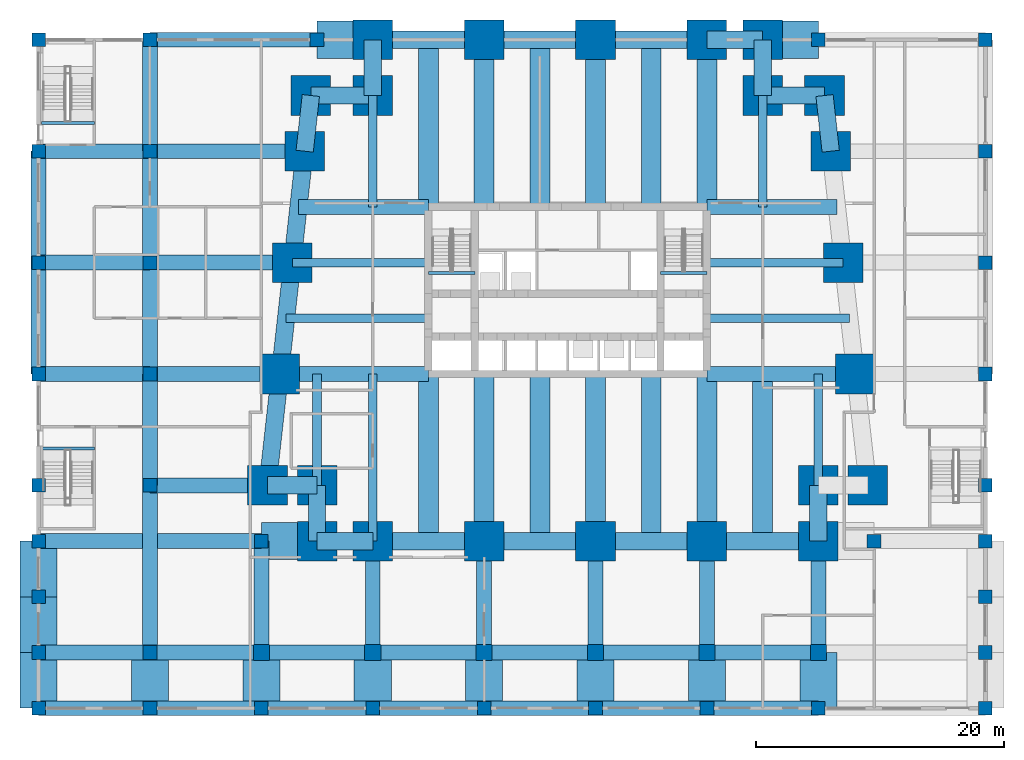
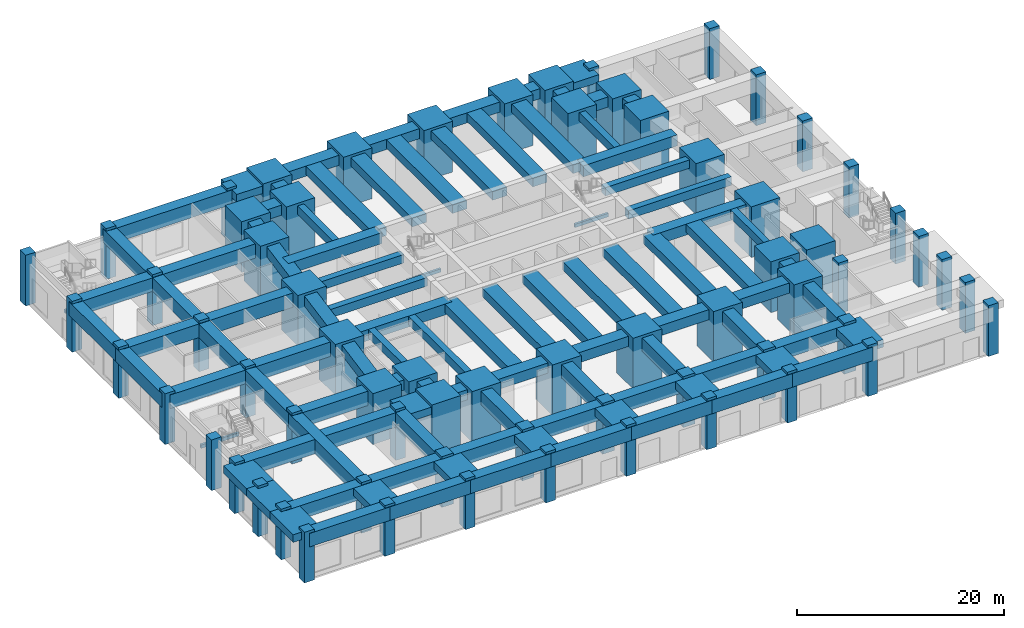
# One storey, part 1 of 13: 101 beams, 66 columns.
"""IFC4 building model written with IfcOpenShell, lengths in metres."""

from ifc_helpers import new_model, si_unit, direction, frame, origin, origin_2d, place, context, subcontext, project, spatial, rectangle, extrude, material, material_profile, profile_set, type_object, element, save


model = new_model("IFC4")

# Units and contexts
model_context = context("Model", 3, precision=1e-05, world=origin(), true_north=direction((0.0, 1.0)))
body_context = subcontext(model_context, "Body", "Model", "MODEL_VIEW")
ifc_project = project(units=[si_unit("LENGTHUNIT", "METRE"), si_unit("AREAUNIT", "SQUARE_METRE"), si_unit("VOLUMEUNIT", "CUBIC_METRE"), si_unit("PLANEANGLEUNIT", "RADIAN"), si_unit("MASSUNIT", "GRAM", prefix="KILO")], contexts=[model_context])

# Site, building, storey
site_placement = place(None, origin())
site = spatial("IfcSite", under=ifc_project, at=site_placement, CompositionType="ELEMENT")
building_placement = place(site_placement, origin())
building = spatial("IfcBuilding", under=site, at=building_placement, Name="Kilele Tower Hotel", CompositionType="ELEMENT")
storey_placement = place(building_placement, origin())
storey = spatial("IfcBuildingStorey", under=building, at=storey_placement, Name="L00", CompositionType="ELEMENT", Elevation=0.0)

# Columns
ifc_material_1 = material(Name="Concrete C60/75", Category="concrete")
ifc_material_profile_1 = material_profile(ifc_material_1, rectangle(XDim=1.10009765625, YDim=1.10009765625, at=origin_2d()))
ifc_profile_set_1 = profile_set([ifc_material_profile_1], Name="Concrete C60/75")
column_type_1 = type_object("IfcColumnType", Name="Column RC 1100x1100 C60/75", PredefinedType="COLUMN", material=ifc_profile_set_1)
for number, where, z_axis, x_axis, name in (
    (1, (-18.0, -13.5, 0.0), (0.0, 0.0, 1.0), (1.0, 0.0, 0.0), "Column PC1 L00"),
    (2, (-9.0, -13.5, 0.0), (0.0, 0.0, 1.0), (1.0, 0.0, 0.0), "Column PC1 L00"),
    (3, (58.5, -13.5, 0.0), (0.0, 0.0, 1.0), (1.0, 0.0, 0.0), "Column PC1 L00"),
    (4, (-18.0, -4.5, 0.0), (0.0, 0.0, 1.0), (1.0, 0.0, 0.0), "Column PC1 L00"),
    (5, (58.5, -4.5, 0.0), (0.0, 0.0, 1.0), (1.0, 0.0, 0.0), "Column PC1 L00"),
    (6, (-18.0, 4.5, 0.0), (0.0, 0.0, 1.0), (1.0, 0.0, 0.0), "Column PC1 L00"),
    (7, (-9.0, 4.5, 0.0), (0.0, 0.0, 1.0), (1.0, 0.0, 0.0), "Column PC1 L00"),
    (8, (58.5, 4.5, 0.0), (0.0, 0.0, 1.0), (1.0, 0.0, 0.0), "Column PC1 L00"),
    (9, (-18.0, 13.5, 0.0), (0.0, 0.0, 1.0), (1.0, 0.0, 0.0), "Column PC1 L00"),
    (10, (-9.0, 13.5, 0.0), (0.0, 0.0, 1.0), (1.0, 0.0, 0.0), "Column PC1 L00"),
    (11, (58.5, 13.5, 0.0), (0.0, 0.0, 1.0), (1.0, 0.0, 0.0), "Column PC1 L00"),
    (12, (-18.0, 22.5, 0.0), (0.0, 0.0, 1.0), (1.0, 0.0, 0.0), "Column PC1 L00"),
    (13, (-9.0, 22.5, 0.0), (0.0, 0.0, 1.0), (1.0, 0.0, 0.0), "Column PC1 L00"),
    (14, (58.5, 22.5, 0.0), (0.0, 0.0, 1.0), (1.0, 0.0, 0.0), "Column PC1 L00"),
    (15, (-18.0, 31.5, 0.0), (0.0, 0.0, 1.0), (1.0, 0.0, 0.0), "Column PC1 L00"),
    (16, (-9.0, 31.5, 0.0), (0.0, 0.0, 1.0), (1.0, 0.0, 0.0), "Column PC1 L00"),
    (17, (58.5, 31.5, 0.0), (0.0, 0.0, 1.0), (1.0, 0.0, 0.0), "Column PC1 L00"),
    (18, (-18.0, 40.5, 0.0), (0.0, 0.0, 1.0), (1.0, 0.0, 0.0), "Column PC1 L00"),
    (19, (-9.0, 40.5, 0.0), (0.0, 0.0, 1.0), (1.0, 0.0, 0.0), "Column PC1 L00"),
    (20, (58.5, 40.5, 0.0), (0.0, 0.0, 1.0), (1.0, 0.0, 0.0), "Column PC1 L00"),
    (21, (-18.0, 0.0, 0.0), (0.0, 0.0, 1.0), (1.0, 0.0, 0.0), "Column PC1 L00"),
    (22, (58.5, 0.0, 0.0), (0.0, 0.0, 1.0), (1.0, 0.0, 0.0), "Column PC1 L00"),
    (23, (0.0, -13.5, 0.0), (0.0, 0.0, 1.0), (1.0, 0.0, 0.0), "Column PC1 L00"),
    (24, (9.0, -13.5, 0.0), (0.0, 0.0, 1.0), (1.0, 0.0, 0.0), "Column PC1 L00"),
    (25, (18.0, -13.5, 0.0), (0.0, 0.0, 1.0), (1.0, 0.0, 0.0), "Column PC1 L00"),
    (26, (27.0, -13.5, 0.0), (0.0, 0.0, 1.0), (1.0, 0.0, 0.0), "Column PC1 L00"),
    (27, (36.0, -13.5, 0.0), (0.0, 0.0, 1.0), (1.0, 0.0, 0.0), "Column PC1 L00"),
    (28, (45.0, -13.5, 0.0), (0.0, 0.0, 1.0), (1.0, 0.0, 0.0), "Column PC1 L00"),
    (29, (-18.0, -9.0, 0.0), (0.0, 0.0, 1.0), (1.0, 0.0, 0.0), "Column PC1 L00"),
    (30, (58.5, -9.0, 0.0), (0.0, 0.0, 1.0), (1.0, 0.0, 0.0), "Column PC1 L00"),
    (31, (-9.0, -9.0, 0.0), (0.0, 0.0, 1.0), (1.0, 0.0, 0.0), "Column PC1 L00"),
    (32, (0.0, 0.0, 0.0), (0.0, 0.0, 1.0), (1.0, 0.0, 0.0), "Column PC1 L00"),
    (33, (49.5, 0.0, 0.0), (0.0, 0.0, 1.0), (1.0, 0.0, 0.0), "Column PC1 L00"),
    (34, (4.5, 40.5, 0.0), (0.0, 0.0, 1.0), (1.0, 0.0, 0.0), "Column PC1 L00"),
    (35, (45.0, 40.5, 0.0), (0.0, 0.0, 1.0), (1.0, 0.0, 0.0), "Column PC1 L00"),
):
    element("IfcColumn", number, at=place(storey_placement, frame(where, z_axis=z_axis, x_axis=x_axis)), inside=storey, type_object=column_type_1, Name=name, PredefinedType="COLUMN", context=body_context, shape_type="SweptSolid", body=[
        extrude(rectangle(XDim=1.10009765625, YDim=1.10009765625, at=origin_2d()), origin(), (0.0, 0.0, 1.0), 6.0),
    ])
ifc_material_2 = material(Name="Concrete C60/75", Category="concrete")
ifc_material_profile_2 = material_profile(ifc_material_2, rectangle(XDim=1.300048828125, YDim=1.300048828125, at=origin_2d()))
ifc_profile_set_2 = profile_set([ifc_material_profile_2], Name="Concrete C60/75")
column_type_2 = type_object("IfcColumnType", Name="Column RC 1300x1300 C60/75", PredefinedType="COLUMN", material=ifc_profile_set_2)
for number, where, z_axis, x_axis, name in (
    (36, (0.0, -9.0, 0.0), (0.0, 0.0, 1.0), (1.0, 0.0, 0.0), "Column PC2 L00"),
    (37, (9.0, -9.0, 0.0), (0.0, 0.0, 1.0), (1.0, 0.0, 0.0), "Column PC2 L00"),
    (38, (18.0, -9.0, 0.0), (0.0, 0.0, 1.0), (1.0, 0.0, 0.0), "Column PC2 L00"),
    (39, (27.0, -9.0, 0.0), (0.0, 0.0, 1.0), (1.0, 0.0, 0.0), "Column PC2 L00"),
    (40, (36.0, -9.0, 0.0), (0.0, 0.0, 1.0), (1.0, 0.0, 0.0), "Column PC2 L00"),
    (41, (45.0, -9.0, 0.0), (0.0, 0.0, 1.0), (1.0, 0.0, 0.0), "Column PC2 L00"),
):
    element("IfcColumn", number, at=place(storey_placement, frame(where, z_axis=z_axis, x_axis=x_axis)), inside=storey, type_object=column_type_2, Name=name, PredefinedType="COLUMN", context=body_context, shape_type="SweptSolid", body=[
        extrude(rectangle(XDim=1.300048828125, YDim=1.300048828125, at=origin_2d()), origin(), (0.0, 0.0, 1.0), 6.0),
    ])
ifc_material_3 = material(Name="Concrete C80/95", Category="concrete")
ifc_material_profile_3 = material_profile(ifc_material_3, rectangle(XDim=3.199951171875, YDim=3.199951171875, at=origin_2d()))
ifc_profile_set_3 = profile_set([ifc_material_profile_3], Name="Concrete C80/95")
column_type_3 = type_object("IfcColumnType", Name="Mega column RC 3200x3200 C80/95", PredefinedType="COLUMN", material=ifc_profile_set_3)
for number, where, z_axis, x_axis, name in (
    (42, (0.5, 4.5, 0.0), (0.0, 0.0, 1.0), (1.0, 0.0, 0.0), "Column MC1 L00"),
    (43, (4.5, 4.5, 0.0), (0.0, 0.0, 1.0), (1.0, 0.0, 0.0), "Column MC1 L00"),
    (44, (4.5, 0.0, 0.0), (0.0, 0.0, 1.0), (1.0, 0.0, 0.0), "Column MC1 L00"),
    (45, (9.0, 0.0, 0.0), (0.0, 0.0, 1.0), (1.0, 0.0, 0.0), "Column MC1 L00"),
    (46, (18.0, 0.0, 0.0), (0.0, 0.0, 1.0), (1.0, 0.0, 0.0), "Column MC1 L00"),
    (47, (27.0, 0.0, 0.0), (0.0, 0.0, 1.0), (1.0, 0.0, 0.0), "Column MC1 L00"),
    (48, (36.0, 0.0, 0.0), (0.0, 0.0, 1.0), (1.0, 0.0, 0.0), "Column MC1 L00"),
    (49, (45.0, 0.0, 0.0), (0.0, 0.0, 1.0), (1.0, 0.0, 0.0), "Column MC1 L00"),
    (50, (45.0, 4.5, 0.0), (0.0, 0.0, 1.0), (1.0, 0.0, 0.0), "Column MC1 L00"),
    (51, (49.0, 4.5, 0.0), (0.0, 0.0, 1.0), (1.0, 0.0, 0.0), "Column MC1 L00"),
    (52, (48.0, 13.5, 0.0), (0.0, 0.0, 1.0), (1.0, 0.0, 0.0), "Column MC1 L00"),
    (53, (47.0, 22.5, 0.0), (0.0, 0.0, 1.0), (1.0, 0.0, 0.0), "Column MC1 L00"),
    (54, (46.0, 31.5, 0.0), (0.0, 0.0, 1.0), (1.0, 0.0, 0.0), "Column MC1 L00"),
    (55, (45.5, 36.0, 0.0), (0.0, 0.0, 1.0), (1.0, 0.0, 0.0), "Column MC1 L00"),
    (56, (40.5, 36.0, 0.0), (0.0, 0.0, 1.0), (1.0, 0.0, 0.0), "Column MC1 L00"),
    (57, (40.5, 40.5, 0.0), (0.0, 0.0, 1.0), (1.0, 0.0, 0.0), "Column MC1 L00"),
    (58, (36.0, 40.5, 0.0), (0.0, 0.0, 1.0), (1.0, 0.0, 0.0), "Column MC1 L00"),
    (59, (27.0, 40.5, 0.0), (0.0, 0.0, 1.0), (1.0, 0.0, 0.0), "Column MC1 L00"),
    (60, (18.0, 40.5, 0.0), (0.0, 0.0, 1.0), (1.0, 0.0, 0.0), "Column MC1 L00"),
    (61, (9.0, 40.5, 0.0), (0.0, 0.0, 1.0), (1.0, 0.0, 0.0), "Column MC1 L00"),
    (62, (9.0, 36.0, 0.0), (0.0, 0.0, 1.0), (1.0, 0.0, 0.0), "Column MC1 L00"),
    (63, (4.0, 36.0, 0.0), (0.0, 0.0, 1.0), (1.0, 0.0, 0.0), "Column MC1 L00"),
    (64, (3.5, 31.5, 0.0), (0.0, 0.0, 1.0), (1.0, 0.0, 0.0), "Column MC1 L00"),
    (65, (2.5, 22.5, 0.0), (0.0, 0.0, 1.0), (1.0, 0.0, 0.0), "Column MC1 L00"),
    (66, (1.5, 13.5, 0.0), (0.0, 0.0, 1.0), (1.0, 0.0, 0.0), "Column MC1 L00"),
):
    element("IfcColumn", number, at=place(storey_placement, frame(where, z_axis=z_axis, x_axis=x_axis)), inside=storey, type_object=column_type_3, Name=name, PredefinedType="COLUMN", context=body_context, shape_type="SweptSolid", body=[
        extrude(rectangle(XDim=3.199951171875, YDim=3.199951171875, at=origin_2d()), origin(), (0.0, 0.0, 1.0), 6.0),
    ])

# Beams
ifc_material_4 = material(Name="Concrete C60/75", Category="concrete")
ifc_material_profile_4 = material_profile(ifc_material_4, rectangle(XDim=1.199951171875, YDim=1.60009765625, at=origin_2d()))
ifc_profile_set_4 = profile_set([ifc_material_profile_4], Name="Concrete C60/75")
beam_type_1 = type_object("IfcBeamType", Name="Beam RC 1200x1600 C60/75", PredefinedType="BEAM", material=ifc_profile_set_4)
for number, where, z_axis, x_axis, name in (
    (67, (-18.0, -13.5, 4.89990234375), (1.0, 0.0, 0.0), (0.0, 1.0, 0.0), "Beam PB2 level L01"),
    (68, (-9.0, -13.5, 4.89990234375), (1.0, 0.0, 0.0), (0.0, 1.0, 0.0), "Beam PB2 level L01"),
    (69, (-9.0, 4.5, 4.89990234375), (0.0, 1.0, 0.0), (-1.0, 0.0, 0.0), "Beam PB2 level L01"),
    (70, (-18.0, 13.5, 4.89990234375), (1.0, 0.0, 0.0), (0.0, 1.0, 0.0), "Beam PB2 level L01"),
    (71, (-18.0, 13.5, 4.89990234375), (0.0, 1.0, 0.0), (-1.0, 0.0, 0.0), "Beam PB2 level L01"),
    (72, (-9.0, 13.5, 4.89990234375), (0.0, 1.0, 0.0), (-1.0, 0.0, 0.0), "Beam PB2 level L01"),
    (73, (-18.0, 22.5, 4.89990234375), (1.0, 0.0, 0.0), (0.0, 1.0, 0.0), "Beam PB2 level L01"),
    (74, (-18.0, 22.5, 4.89990234375), (0.0, 1.0, 0.0), (-1.0, 0.0, 0.0), "Beam PB2 level L01"),
    (75, (-9.0, 22.5, 4.89990234375), (0.0, 1.0, 0.0), (-1.0, 0.0, 0.0), "Beam PB2 level L01"),
    (76, (-18.0, 31.5, 4.89990234375), (1.0, 0.0, 0.0), (0.0, 1.0, 0.0), "Beam PB2 level L01"),
    (77, (-9.0, 31.5, 4.89990234375), (0.0, 1.0, 0.0), (-1.0, 0.0, 0.0), "Beam PB2 level L01"),
    (78, (0.0, -13.5, 4.89990234375), (1.0, 0.0, 0.0), (0.0, 1.0, 0.0), "Beam PB2 level L01"),
    (79, (9.0, -13.5, 4.89990234375), (1.0, 0.0, 0.0), (0.0, 1.0, 0.0), "Beam PB2 level L01"),
    (80, (18.0, -13.5, 4.89990234375), (1.0, 0.0, 0.0), (0.0, 1.0, 0.0), "Beam PB2 level L01"),
    (81, (27.0, -13.5, 4.89990234375), (1.0, 0.0, 0.0), (0.0, 1.0, 0.0), "Beam PB2 level L01"),
    (82, (36.0, -13.5, 4.89990234375), (1.0, 0.0, 0.0), (0.0, 1.0, 0.0), "Beam PB2 level L01"),
    (83, (0.0, -9.0, 4.89990234375), (1.0, 0.0, 0.0), (0.0, 1.0, 0.0), "Beam PB2 level L01"),
    (84, (0.0, -9.0, 4.89990234375), (0.0, 1.0, 0.0), (-1.0, 0.0, 0.0), "Beam PB2 level L01"),
    (85, (9.0, -9.0, 4.89990234375), (0.0, 1.0, 0.0), (-1.0, 0.0, 0.0), "Beam PB2 level L01"),
    (86, (9.0, -9.0, 4.89990234375), (1.0, 0.0, 0.0), (0.0, 1.0, 0.0), "Beam PB2 level L01"),
    (87, (18.0, -9.0, 4.89990234375), (0.0, 1.0, 0.0), (-1.0, 0.0, 0.0), "Beam PB2 level L01"),
    (88, (18.0, -9.0, 4.89990234375), (1.0, 0.0, 0.0), (0.0, 1.0, 0.0), "Beam PB2 level L01"),
    (89, (27.0, -9.0, 4.89990234375), (0.0, 1.0, 0.0), (-1.0, 0.0, 0.0), "Beam PB2 level L01"),
    (90, (27.0, -9.0, 4.89990234375), (1.0, 0.0, 0.0), (0.0, 1.0, 0.0), "Beam PB2 level L01"),
    (91, (36.0, -9.0, 4.89990234375), (0.0, 1.0, 0.0), (-1.0, 0.0, 0.0), "Beam PB2 level L01"),
    (92, (36.0, -9.0, 4.89990234375), (1.0, 0.0, 0.0), (0.0, 1.0, 0.0), "Beam PB2 level L01"),
    (93, (45.0, -9.0, 4.89990234375), (0.0, 1.0, 0.0), (-1.0, 0.0, 0.0), "Beam PB2 level L01"),
    (94, (-18.0, -9.0, 4.89990234375), (1.0, 0.0, 0.0), (0.0, 1.0, 0.0), "Beam PB2 level L01"),
    (95, (-9.0, -9.0, 4.89990234375), (1.0, 0.0, 0.0), (0.0, 1.0, 0.0), "Beam PB2 level L01"),
):
    element("IfcBeam", number, at=place(storey_placement, frame(where, z_axis=z_axis, x_axis=x_axis)), inside=storey, type_object=beam_type_1, Name=name, PredefinedType="BEAM", context=body_context, shape_type="SweptSolid", body=[
        extrude(rectangle(XDim=1.199951171875, YDim=1.60009765625, at=origin_2d()), origin(), (0.0, 0.0, 1.0), 9.0),
    ])
ifc_material_5 = material(Name="Concrete C60/75", Category="concrete")
ifc_material_profile_5 = material_profile(ifc_material_5, rectangle(XDim=1.199951171875, YDim=1.699951171875, at=origin_2d()))
ifc_profile_set_5 = profile_set([ifc_material_profile_5], Name="Concrete C60/75")
beam_type_2 = type_object("IfcBeamType", Name="Beam RC 1200x1700 C60/75", PredefinedType="BEAM", material=ifc_profile_set_5)
beam_1_placement = place(storey_placement, frame((-9.0, 31.5, 4.85009765625), z_axis=(1.0, 0.0, 0.0), x_axis=(0.0, 1.0, 0.0)))
element("IfcBeam", 96, at=beam_1_placement, inside=storey, type_object=beam_type_2, Name="Beam PB3 level L01", PredefinedType="BEAM", context=body_context, shape_type="SweptSolid", body=[
    extrude(rectangle(XDim=1.199951171875, YDim=1.699951171875, at=origin_2d()), origin(), (0.0, 0.0, 1.0), 12.5),
])
for number, where, z_axis, x_axis, name in (
    (97, (-9.0, 40.5, 4.85009765625), (1.0, 0.0, 0.0), (0.0, 1.0, 0.0), "Beam PB3 level L01"),
    (98, (-9.0, -9.0, 4.85009765625), (0.0, 1.0, 0.0), (-1.0, 0.0, 0.0), "Beam PB3 level L01"),
):
    element("IfcBeam", number, at=place(storey_placement, frame(where, z_axis=z_axis, x_axis=x_axis)), inside=storey, type_object=beam_type_2, Name=name, PredefinedType="BEAM", context=body_context, shape_type="SweptSolid", body=[
        extrude(rectangle(XDim=1.199951171875, YDim=1.699951171875, at=origin_2d()), origin(), (0.0, 0.0, 1.0), 13.5),
    ])
ifc_material_6 = material(Name="Concrete C60/75", Category="concrete")
ifc_material_profile_6 = material_profile(ifc_material_6, rectangle(XDim=1.199951171875, YDim=1.699951171875, at=origin_2d()))
ifc_profile_set_6 = profile_set([ifc_material_profile_6], Name="Concrete C60/75")
beam_type_3 = type_object("IfcBeamType", Name="Beam RC 1200x1700 C60/75 mid span", PredefinedType="BEAM", material=ifc_profile_set_6)
beam_2_placement = place(storey_placement, frame((-9.0, 4.5, 4.85009765625), z_axis=(1.0, 0.0, 0.0), x_axis=(0.0, 1.0, 0.0)))
element("IfcBeam", 99, at=beam_2_placement, inside=storey, type_object=beam_type_3, Name="Beam PB4 level L01", PredefinedType="BEAM", context=body_context, shape_type="SweptSolid", body=[
    extrude(rectangle(XDim=1.199951171875, YDim=1.699951171875, at=origin_2d()), origin(), (0.0, 0.0, 1.0), 9.5),
])
beam_3_placement = place(storey_placement, frame((-9.0, 13.5, 4.85009765625), z_axis=(1.0, 0.0, 0.0), x_axis=(0.0, 1.0, 0.0)))
element("IfcBeam", 100, at=beam_3_placement, inside=storey, type_object=beam_type_3, Name="Beam PB4 level L01", PredefinedType="BEAM", context=body_context, shape_type="SweptSolid", body=[
    extrude(rectangle(XDim=1.199951171875, YDim=1.699951171875, at=origin_2d()), origin(), (0.0, 0.0, 1.0), 10.5),
])
beam_4_placement = place(storey_placement, frame((-9.0, 22.5, 4.85009765625), z_axis=(1.0, 0.0, 0.0), x_axis=(0.0, 1.0, 0.0)))
element("IfcBeam", 101, at=beam_4_placement, inside=storey, type_object=beam_type_3, Name="Beam PB4 level L01", PredefinedType="BEAM", context=body_context, shape_type="SweptSolid", body=[
    extrude(rectangle(XDim=1.199951171875, YDim=1.699951171875, at=origin_2d()), origin(), (0.0, 0.0, 1.0), 11.5),
])
ifc_material_7 = material(Name="Concrete C60/75", Category="concrete")
ifc_material_profile_7 = material_profile(ifc_material_7, rectangle(XDim=1.60009765625, YDim=1.0, at=origin_2d()))
ifc_profile_set_7 = profile_set([ifc_material_profile_7], Name="Concrete C60/75")
beam_type_4 = type_object("IfcBeamType", Name="Beam RC 1600x1000 C60/75", PredefinedType="BEAM", material=ifc_profile_set_7)
for number, where, z_axis, x_axis, name in (
    (102, (13.5, 0.0, 5.199951171875), (0.0, 1.0, 0.0), (-1.0, 0.0, 0.0), "Beam BC1 level L01"),
    (103, (18.0, 0.0, 5.199951171875), (0.0, 1.0, 0.0), (-1.0, 0.0, 0.0), "Beam BC1 level L01"),
    (104, (22.5, 0.0, 5.199951171875), (0.0, 1.0, 0.0), (-1.0, 0.0, 0.0), "Beam BC1 level L01"),
    (105, (27.0, 0.0, 5.199951171875), (0.0, 1.0, 0.0), (-1.0, 0.0, 0.0), "Beam BC1 level L01"),
    (106, (31.5, 0.0, 5.199951171875), (0.0, 1.0, 0.0), (-1.0, 0.0, 0.0), "Beam BC1 level L01"),
    (107, (36.0, 0.0, 5.199951171875), (0.0, 1.0, 0.0), (-1.0, 0.0, 0.0), "Beam BC1 level L01"),
    (108, (40.5, 0.0, 5.199951171875), (0.0, 1.0, 0.0), (-1.0, 0.0, 0.0), "Beam BC1 level L01"),
    (109, (36.0, 40.5, 5.199951171875), (0.0, -1.0, 0.0), (1.0, 0.0, 0.0), "Beam BC1 level L01"),
    (110, (31.5, 40.5, 5.199951171875), (0.0, -1.0, 0.0), (1.0, 0.0, 0.0), "Beam BC1 level L01"),
    (111, (27.0, 40.5, 5.199951171875), (0.0, -1.0, 0.0), (1.0, 0.0, 0.0), "Beam BC1 level L01"),
    (112, (22.5, 40.5, 5.199951171875), (0.0, -1.0, 0.0), (1.0, 0.0, 0.0), "Beam BC1 level L01"),
    (113, (18.0, 40.5, 5.199951171875), (0.0, -1.0, 0.0), (1.0, 0.0, 0.0), "Beam BC1 level L01"),
    (114, (13.5, 40.5, 5.199951171875), (0.0, -1.0, 0.0), (1.0, 0.0, 0.0), "Beam BC1 level L01"),
):
    element("IfcBeam", number, at=place(storey_placement, frame(where, z_axis=z_axis, x_axis=x_axis)), inside=storey, type_object=beam_type_4, Name=name, PredefinedType="BEAM", context=body_context, shape_type="SweptSolid", body=[
        extrude(rectangle(XDim=1.60009765625, YDim=1.0, at=origin_2d()), origin(), (0.0, 0.0, 1.0), 13.5),
    ])
ifc_material_8 = material(Name="Concrete C60/75", Category="concrete")
ifc_material_profile_8 = material_profile(ifc_material_8, rectangle(XDim=3.0, YDim=0.89990234375, at=origin_2d()))
ifc_profile_set_8 = profile_set([ifc_material_profile_8], Name="Concrete C60/75")
beam_type_5 = type_object("IfcBeamType", Name="Beam RC 3000x900 C60/75", PredefinedType="BEAM", material=ifc_profile_set_8)
for number, where, z_axis, x_axis, name in (
    (115, (40.5, 40.5, 5.25), (1.0, 0.0, 0.0), (0.0, 1.0, 0.0), "Beam PB1 level L01"),
    (116, (-18.0, -13.5, 5.25), (0.0, 1.0, 0.0), (-1.0, 0.0, 0.0), "Beam PB1 level L01"),
    (117, (-9.0, -13.5, 5.25), (0.0, 1.0, 0.0), (-1.0, 0.0, 0.0), "Beam PB1 level L01"),
    (118, (-18.0, -4.5, 5.25), (0.0, 1.0, 0.0), (-1.0, 0.0, 0.0), "Beam PB1 level L01"),
    (119, (0.0, -13.5, 5.25), (0.0, 1.0, 0.0), (-1.0, 0.0, 0.0), "Beam PB1 level L01"),
    (120, (9.0, -13.5, 5.25), (0.0, 1.0, 0.0), (-1.0, 0.0, 0.0), "Beam PB1 level L01"),
    (121, (18.0, -13.5, 5.25), (0.0, 1.0, 0.0), (-1.0, 0.0, 0.0), "Beam PB1 level L01"),
    (122, (27.0, -13.5, 5.25), (0.0, 1.0, 0.0), (-1.0, 0.0, 0.0), "Beam PB1 level L01"),
    (123, (36.0, -13.5, 5.25), (0.0, 1.0, 0.0), (-1.0, 0.0, 0.0), "Beam PB1 level L01"),
    (124, (45.0, -13.5, 5.25), (0.0, 1.0, 0.0), (-1.0, 0.0, 0.0), "Beam PB1 level L01"),
    (125, (-18.0, -9.0, 5.25), (0.0, 1.0, 0.0), (-1.0, 0.0, 0.0), "Beam PB1 level L01"),
    (126, (0.0, 0.0, 5.25), (1.0, 0.0, 0.0), (0.0, 1.0, 0.0), "Beam PB1 level L01"),
    (127, (4.5, 40.5, 5.25), (1.0, 0.0, 0.0), (0.0, 1.0, 0.0), "Beam PB1 level L01"),
):
    element("IfcBeam", number, at=place(storey_placement, frame(where, z_axis=z_axis, x_axis=x_axis)), inside=storey, type_object=beam_type_5, Name=name, PredefinedType="BEAM", context=body_context, shape_type="SweptSolid", body=[
        extrude(rectangle(XDim=3.0, YDim=0.89990234375, at=origin_2d()), origin(), (0.0, 0.0, 1.0), 4.5),
    ])
ifc_material_9 = material(Name="Concrete C60/75", Category="concrete")
ifc_material_profile_9 = material_profile(ifc_material_9, rectangle(XDim=0.699951171875, YDim=1.0, at=origin_2d()))
ifc_profile_set_9 = profile_set([ifc_material_profile_9], Name="Concrete C60/75")
beam_type_6 = type_object("IfcBeamType", Name="Beam RC 700x1000 C60/75", PredefinedType="BEAM", material=ifc_profile_set_9)
beam_5_placement = place(storey_placement, frame((9.0, 0.0, 5.199951171875), z_axis=(0.0, 1.0, 0.0), x_axis=(-1.0, 0.0, 0.0)))
element("IfcBeam", 128, at=beam_5_placement, inside=storey, type_object=beam_type_6, Name="Beam B4 level L01", PredefinedType="BEAM", context=body_context, shape_type="SweptSolid", body=[
    extrude(rectangle(XDim=0.699951171875, YDim=1.0, at=origin_2d()), origin(), (0.0, 0.0, 1.0), 13.5),
])
ifc_material_10 = material(Name="Concrete C60/75", Category="concrete")
ifc_material_profile_10 = material_profile(ifc_material_10, rectangle(XDim=0.699951171875, YDim=1.0, at=origin_2d()))
ifc_profile_set_10 = profile_set([ifc_material_profile_10], Name="Concrete C60/75")
beam_type_7 = type_object("IfcBeamType", Name="Beam RC 700x1000 C60/75 mid span", PredefinedType="BEAM", material=ifc_profile_set_10)
for number, where, z_axis, x_axis, name in (
    (129, (4.5, 4.5, 5.199951171875), (0.0, 1.0, 0.0), (-1.0, 0.0, 0.0), "Beam B5 level L01"),
    (130, (45.0, 4.5, 5.199951171875), (0.0, 1.0, 0.0), (-1.0, 0.0, 0.0), "Beam B5 level L01"),
):
    element("IfcBeam", number, at=place(storey_placement, frame(where, z_axis=z_axis, x_axis=x_axis)), inside=storey, type_object=beam_type_7, Name=name, PredefinedType="BEAM", context=body_context, shape_type="SweptSolid", body=[
        extrude(rectangle(XDim=0.699951171875, YDim=1.0, at=origin_2d()), origin(), (0.0, 0.0, 1.0), 9.0),
    ])
beam_6_placement = place(storey_placement, frame((47.5, 18.0, 5.199951171875), z_axis=(-1.0, 0.0, 0.0), x_axis=(0.0, -1.0, 0.0)))
element("IfcBeam", 131, at=beam_6_placement, inside=storey, type_object=beam_type_7, Name="Beam B5 level L01", PredefinedType="BEAM", context=body_context, shape_type="SweptSolid", body=[
    extrude(rectangle(XDim=0.699951171875, YDim=1.0, at=origin_2d()), origin(), (0.0, 0.0, 1.0), 11.5),
])
beam_7_placement = place(storey_placement, frame((47.0, 22.5, 5.199951171875), z_axis=(-1.0, 0.0, 0.0), x_axis=(0.0, -1.0, 0.0)))
element("IfcBeam", 132, at=beam_7_placement, inside=storey, type_object=beam_type_7, Name="Beam B5 level L01", PredefinedType="BEAM", context=body_context, shape_type="SweptSolid", body=[
    extrude(rectangle(XDim=0.699951171875, YDim=1.0, at=origin_2d()), origin(), (0.0, 0.0, 1.0), 11.0),
])
for number, where, z_axis, x_axis, name in (
    (133, (40.5, 36.0, 5.199951171875), (0.0, -1.0, 0.0), (1.0, 0.0, 0.0), "Beam B5 level L01"),
    (134, (9.0, 36.0, 5.199951171875), (0.0, -1.0, 0.0), (1.0, 0.0, 0.0), "Beam B5 level L01"),
):
    element("IfcBeam", number, at=place(storey_placement, frame(where, z_axis=z_axis, x_axis=x_axis)), inside=storey, type_object=beam_type_7, Name=name, PredefinedType="BEAM", context=body_context, shape_type="SweptSolid", body=[
        extrude(rectangle(XDim=0.699951171875, YDim=1.0, at=origin_2d()), origin(), (0.0, 0.0, 1.0), 9.0),
    ])
beam_8_placement = place(storey_placement, frame((2.5, 22.5, 5.199951171875), z_axis=(1.0, 0.0, 0.0), x_axis=(0.0, 1.0, 0.0)))
element("IfcBeam", 135, at=beam_8_placement, inside=storey, type_object=beam_type_7, Name="Beam B5 level L01", PredefinedType="BEAM", context=body_context, shape_type="SweptSolid", body=[
    extrude(rectangle(XDim=0.699951171875, YDim=1.0, at=origin_2d()), origin(), (0.0, 0.0, 1.0), 11.0),
])
beam_9_placement = place(storey_placement, frame((2.0, 18.0, 5.199951171875), z_axis=(1.0, 0.0, 0.0), x_axis=(0.0, 1.0, 0.0)))
element("IfcBeam", 136, at=beam_9_placement, inside=storey, type_object=beam_type_7, Name="Beam B5 level L01", PredefinedType="BEAM", context=body_context, shape_type="SweptSolid", body=[
    extrude(rectangle(XDim=0.699951171875, YDim=1.0, at=origin_2d()), origin(), (0.0, 0.0, 1.0), 11.5),
])
ifc_material_11 = material(Name="Concrete C60/75", Category="concrete")
ifc_material_profile_11 = material_profile(ifc_material_11, rectangle(XDim=1.199951171875, YDim=1.300048828125, at=origin_2d()))
ifc_profile_set_11 = profile_set([ifc_material_profile_11], Name="Concrete C60/75")
beam_type_8 = type_object("IfcBeamType", Name="Girder RC 1200x1300 C60/75", PredefinedType="BEAM", material=ifc_profile_set_11)
for number, where, z_axis, x_axis, name in (
    (137, (48.0, 13.5, 5.050048828125), (-1.0, 0.0, 0.0), (0.0, -1.0, 0.0), "Girder G1 level L01"),
    (138, (1.5, 13.5, 5.050048828125), (1.0, 0.0, 0.0), (0.0, 1.0, 0.0), "Girder G1 level L01"),
):
    element("IfcBeam", number, at=place(storey_placement, frame(where, z_axis=z_axis, x_axis=x_axis)), inside=storey, type_object=beam_type_8, Name=name, PredefinedType="BEAM", context=body_context, shape_type="SweptSolid", body=[
        extrude(rectangle(XDim=1.199951171875, YDim=1.300048828125, at=origin_2d()), origin(), (0.0, 0.0, 1.0), 12.0),
    ])
ifc_material_12 = material(Name="Concrete C60/75", Category="concrete")
ifc_material_profile_12 = material_profile(ifc_material_12, rectangle(XDim=1.199951171875, YDim=1.300048828125, at=origin_2d()))
ifc_profile_set_12 = profile_set([ifc_material_profile_12], Name="Concrete C60/75")
beam_type_9 = type_object("IfcBeamType", Name="Girder RC 1200x1300 C60/75 mid span", PredefinedType="BEAM", material=ifc_profile_set_12)
for number, where, z_axis, x_axis, name in (
    (139, (46.5, 27.0, 5.050048828125), (-1.0, 0.0, 0.0), (0.0, -1.0, 0.0), "Girder G3 level L01"),
    (140, (3.0, 27.0, 5.050048828125), (1.0, 0.0, 0.0), (0.0, 1.0, 0.0), "Girder G3 level L01"),
):
    element("IfcBeam", number, at=place(storey_placement, frame(where, z_axis=z_axis, x_axis=x_axis)), inside=storey, type_object=beam_type_9, Name=name, PredefinedType="BEAM", context=body_context, shape_type="SweptSolid", body=[
        extrude(rectangle(XDim=1.199951171875, YDim=1.300048828125, at=origin_2d()), origin(), (0.0, 0.0, 1.0), 10.5),
    ])
ifc_material_13 = material(Name="Concrete C40/50", Category="concrete")
ifc_material_profile_13 = material_profile(ifc_material_13, rectangle(XDim=0.25, YDim=0.39990234375, at=origin_2d()))
ifc_profile_set_13 = profile_set([ifc_material_profile_13], Name="Concrete C40/50")
beam_type_10 = type_object("IfcBeamType", Name="Landing beam RC 250x400 C40/50", PredefinedType="BEAM", material=ifc_profile_set_13)
for number, where, z_axis, x_axis, name in (
    (141, (13.5, 21.64990234375, 2.857177734375), (1.0, 0.0, 0.0), (0.0, 1.0, 0.0), "Landing beam ST1 L00"),
    (142, (32.25, 21.64990234375, 2.857177734375), (1.0, 0.0, 0.0), (0.0, 1.0, 0.0), "Landing beam ST2 L00"),
):
    element("IfcBeam", number, at=place(storey_placement, frame(where, z_axis=z_axis, x_axis=x_axis)), inside=storey, type_object=beam_type_10, Name=name, PredefinedType="BEAM", context=body_context, shape_type="SweptSolid", body=[
        extrude(rectangle(XDim=0.25, YDim=0.39990234375, at=origin_2d()), origin(), (0.0, 0.0, 1.0), 3.75),
    ])
for number, where, z_axis, x_axis, name in (
    (143, (-17.75, 33.77490234375, 2.857177734375), (1.0, 0.0, 0.0), (0.0, 1.0, 0.0), "Landing beam ST3 L00"),
    (144, (-17.75, 7.47509765625, 2.857177734375), (1.0, 0.0, 0.0), (0.0, 1.0, 0.0), "Landing beam ST4 L00"),
):
    element("IfcBeam", number, at=place(storey_placement, frame(where, z_axis=z_axis, x_axis=x_axis)), inside=storey, type_object=beam_type_10, Name=name, PredefinedType="BEAM", context=body_context, shape_type="SweptSolid", body=[
        extrude(rectangle(XDim=0.25, YDim=0.39990234375, at=origin_2d()), origin(), (0.0, 0.0, 1.0), 4.25),
    ])
ifc_material_14 = material(Name="Concrete C60/75", Category="concrete")
ifc_material_profile_14 = material_profile(ifc_material_14, rectangle(XDim=1.199951171875, YDim=1.699951171875, at=origin_2d()))
ifc_profile_set_14 = profile_set([ifc_material_profile_14], Name="Concrete C60/75")
beam_type_11 = type_object("IfcBeamType", Name="Long-span beam RC 1200x1700 C60/75", PredefinedType="BEAM", material=ifc_profile_set_14)
for number, where, z_axis, x_axis, name in (
    (145, (-18.0, 0.0, 4.85009765625), (1.0, 0.0, 0.0), (0.0, 1.0, 0.0), "Long-span beam LB6 level L01"),
    (146, (-8.39990234375, 0.0, 4.85009765625), (1.0, 0.0, 0.0), (0.0, 1.0, 0.0), "Long-span beam LB6 level L01"),
):
    element("IfcBeam", number, at=place(storey_placement, frame(where, z_axis=z_axis, x_axis=x_axis)), inside=storey, type_object=beam_type_11, Name=name, PredefinedType="BEAM", context=body_context, shape_type="SweptSolid", body=[
        extrude(rectangle(XDim=1.199951171875, YDim=1.699951171875, at=origin_2d()), origin(), (0.0, 0.0, 1.0), 8.39990234375),
    ])
ifc_material_15 = material(Name="Concrete C60/75", Category="concrete")
ifc_material_profile_15 = material_profile(ifc_material_15, rectangle(XDim=1.39990234375, YDim=1.199951171875, at=origin_2d()))
ifc_profile_set_15 = profile_set([ifc_material_profile_15], Name="Concrete C60/75")
beam_type_12 = type_object("IfcBeamType", Name="Spandrel RC 1400x1200 C60/75", PredefinedType="SPANDREL", material=ifc_profile_set_15)
beam_10_placement = place(storey_placement, frame((0.5, 4.5, 5.10009765625), z_axis=(1.0, 0.0, 0.0), x_axis=(0.0, 1.0, 0.0)))
element("IfcBeam", 147, at=beam_10_placement, inside=storey, type_object=beam_type_12, Name="Spandrel SP10 level L01", PredefinedType="SPANDREL", context=body_context, shape_type="SweptSolid", body=[
    extrude(rectangle(XDim=1.39990234375, YDim=1.199951171875, at=origin_2d()), origin(), (0.0, 0.0, 1.0), 4.0),
])
for number, where, z_axis, x_axis, name in (
    (148, (4.5, 4.5, 5.10009765625), (0.0, -1.0, 0.0), (1.0, 0.0, 0.0), "Spandrel SP10 level L01"),
    (149, (4.5, 0.0, 5.10009765625), (1.0, 0.0, 0.0), (0.0, 1.0, 0.0), "Spandrel SP10 level L01"),
):
    element("IfcBeam", number, at=place(storey_placement, frame(where, z_axis=z_axis, x_axis=x_axis)), inside=storey, type_object=beam_type_12, Name=name, PredefinedType="SPANDREL", context=body_context, shape_type="SweptSolid", body=[
        extrude(rectangle(XDim=1.39990234375, YDim=1.199951171875, at=origin_2d()), origin(), (0.0, 0.0, 1.0), 4.5),
    ])
for number, where, z_axis, x_axis, name in (
    (150, (9.0, 0.0, 5.10009765625), (1.0, 0.0, 0.0), (0.0, 1.0, 0.0), "Spandrel SP10 level L01"),
    (151, (18.0, 0.0, 5.10009765625), (1.0, 0.0, 0.0), (0.0, 1.0, 0.0), "Spandrel SP10 level L01"),
    (152, (27.0, 0.0, 5.10009765625), (1.0, 0.0, 0.0), (0.0, 1.0, 0.0), "Spandrel SP10 level L01"),
    (153, (36.0, 0.0, 5.10009765625), (1.0, 0.0, 0.0), (0.0, 1.0, 0.0), "Spandrel SP10 level L01"),
):
    element("IfcBeam", number, at=place(storey_placement, frame(where, z_axis=z_axis, x_axis=x_axis)), inside=storey, type_object=beam_type_12, Name=name, PredefinedType="SPANDREL", context=body_context, shape_type="SweptSolid", body=[
        extrude(rectangle(XDim=1.39990234375, YDim=1.199951171875, at=origin_2d()), origin(), (0.0, 0.0, 1.0), 9.0),
    ])
beam_11_placement = place(storey_placement, frame((45.0, 0.0, 5.10009765625), z_axis=(0.0, 1.0, 0.0), x_axis=(-1.0, 0.0, 0.0)))
element("IfcBeam", 154, at=beam_11_placement, inside=storey, type_object=beam_type_12, Name="Spandrel SP10 level L01", PredefinedType="SPANDREL", context=body_context, shape_type="SweptSolid", body=[
    extrude(rectangle(XDim=1.39990234375, YDim=1.199951171875, at=origin_2d()), origin(), (0.0, 0.0, 1.0), 4.5),
])
beam_12_placement = place(storey_placement, frame((46.0, 31.5, 5.10009765625), z_axis=(-0.110431526075, 0.993883734674, 0.0), x_axis=(-0.993883734674, -0.110431526075, 0.0)))
element("IfcBeam", 155, at=beam_12_placement, inside=storey, type_object=beam_type_12, Name="Spandrel SP10 level L01", PredefinedType="SPANDREL", context=body_context, shape_type="SweptSolid", body=[
    extrude(rectangle(XDim=1.39990234375, YDim=1.199951171875, at=origin_2d()), origin(), (0.0, 0.0, 1.0), 4.527587890625),
])
beam_13_placement = place(storey_placement, frame((45.5, 36.0, 5.10009765625), z_axis=(-1.0, 0.0, 0.0), x_axis=(0.0, -1.0, 0.0)))
element("IfcBeam", 156, at=beam_13_placement, inside=storey, type_object=beam_type_12, Name="Spandrel SP10 level L01", PredefinedType="SPANDREL", context=body_context, shape_type="SweptSolid", body=[
    extrude(rectangle(XDim=1.39990234375, YDim=1.199951171875, at=origin_2d()), origin(), (0.0, 0.0, 1.0), 5.0),
])
for number, where, z_axis, x_axis, name in (
    (157, (40.5, 36.0, 5.10009765625), (0.0, 1.0, 0.0), (-1.0, 0.0, 0.0), "Spandrel SP10 level L01"),
    (158, (40.5, 40.5, 5.10009765625), (-1.0, 0.0, 0.0), (0.0, -1.0, 0.0), "Spandrel SP10 level L01"),
):
    element("IfcBeam", number, at=place(storey_placement, frame(where, z_axis=z_axis, x_axis=x_axis)), inside=storey, type_object=beam_type_12, Name=name, PredefinedType="SPANDREL", context=body_context, shape_type="SweptSolid", body=[
        extrude(rectangle(XDim=1.39990234375, YDim=1.199951171875, at=origin_2d()), origin(), (0.0, 0.0, 1.0), 4.5),
    ])
for number, where, z_axis, x_axis, name in (
    (159, (36.0, 40.5, 5.10009765625), (-1.0, 0.0, 0.0), (0.0, -1.0, 0.0), "Spandrel SP10 level L01"),
    (160, (27.0, 40.5, 5.10009765625), (-1.0, 0.0, 0.0), (0.0, -1.0, 0.0), "Spandrel SP10 level L01"),
    (161, (18.0, 40.5, 5.10009765625), (-1.0, 0.0, 0.0), (0.0, -1.0, 0.0), "Spandrel SP10 level L01"),
):
    element("IfcBeam", number, at=place(storey_placement, frame(where, z_axis=z_axis, x_axis=x_axis)), inside=storey, type_object=beam_type_12, Name=name, PredefinedType="SPANDREL", context=body_context, shape_type="SweptSolid", body=[
        extrude(rectangle(XDim=1.39990234375, YDim=1.199951171875, at=origin_2d()), origin(), (0.0, 0.0, 1.0), 9.0),
    ])
beam_14_placement = place(storey_placement, frame((9.0, 40.5, 5.10009765625), z_axis=(0.0, -1.0, 0.0), x_axis=(1.0, 0.0, 0.0)))
element("IfcBeam", 162, at=beam_14_placement, inside=storey, type_object=beam_type_12, Name="Spandrel SP10 level L01", PredefinedType="SPANDREL", context=body_context, shape_type="SweptSolid", body=[
    extrude(rectangle(XDim=1.39990234375, YDim=1.199951171875, at=origin_2d()), origin(), (0.0, 0.0, 1.0), 4.5),
])
beam_15_placement = place(storey_placement, frame((9.0, 36.0, 5.10009765625), z_axis=(-1.0, 0.0, 0.0), x_axis=(0.0, -1.0, 0.0)))
element("IfcBeam", 163, at=beam_15_placement, inside=storey, type_object=beam_type_12, Name="Spandrel SP10 level L01", PredefinedType="SPANDREL", context=body_context, shape_type="SweptSolid", body=[
    extrude(rectangle(XDim=1.39990234375, YDim=1.199951171875, at=origin_2d()), origin(), (0.0, 0.0, 1.0), 5.0),
])
beam_16_placement = place(storey_placement, frame((4.0, 36.0, 5.10009765625), z_axis=(-0.110431526075, -0.993883734674, 0.0), x_axis=(0.993883734674, -0.110431526075, 0.0)))
element("IfcBeam", 164, at=beam_16_placement, inside=storey, type_object=beam_type_12, Name="Spandrel SP10 level L01", PredefinedType="SPANDREL", context=body_context, shape_type="SweptSolid", body=[
    extrude(rectangle(XDim=1.39990234375, YDim=1.199951171875, at=origin_2d()), origin(), (0.0, 0.0, 1.0), 4.527587890625),
])
for number, where, z_axis, x_axis, name in (
    (165, (3.5, 31.5, 5.10009765625), (-0.110431526075, -0.993883734674, 0.0), (0.993883734674, -0.110431526075, 0.0), "Spandrel SP10 level L01"),
    (166, (2.5, 22.5, 5.10009765625), (-0.110431526075, -0.993883734674, 0.0), (0.993883734674, -0.110431526075, 0.0), "Spandrel SP10 level L01"),
    (167, (1.5, 13.5, 5.10009765625), (-0.110431526075, -0.993883734674, 0.0), (0.993883734674, -0.110431526075, 0.0), "Spandrel SP10 level L01"),
):
    element("IfcBeam", number, at=place(storey_placement, frame(where, z_axis=z_axis, x_axis=x_axis)), inside=storey, type_object=beam_type_12, Name=name, PredefinedType="SPANDREL", context=body_context, shape_type="SweptSolid", body=[
        extrude(rectangle(XDim=1.39990234375, YDim=1.199951171875, at=origin_2d()), origin(), (0.0, 0.0, 1.0), 9.055419921875),
    ])

save(model, "model.ifc")
